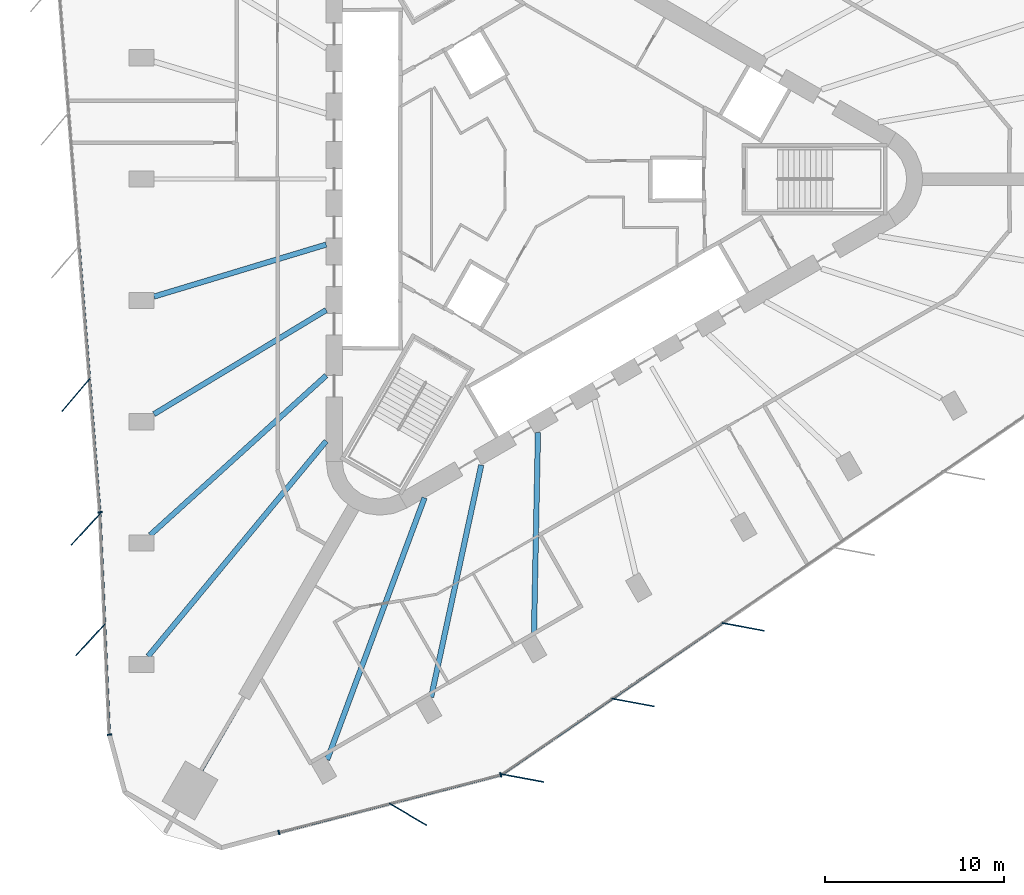
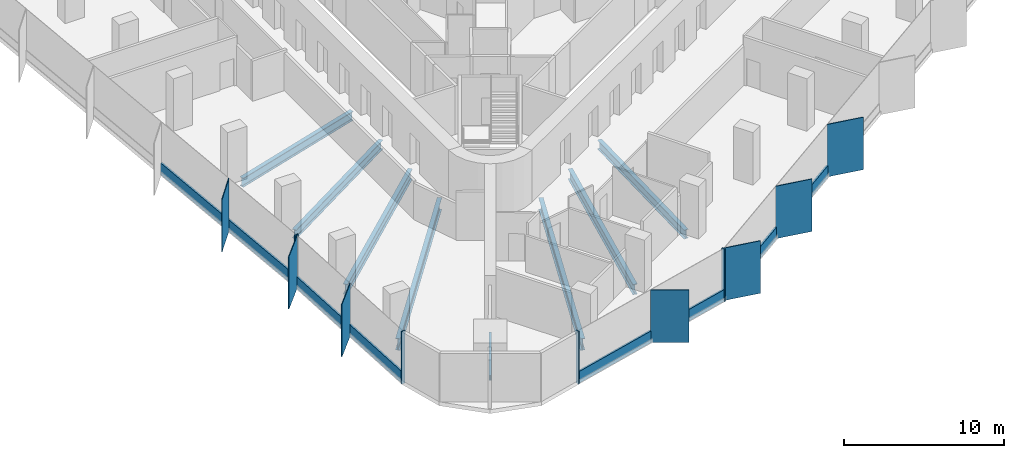
# One storey, part 2 of 13: 19 members, 8 beams, 4 elements without a shape of their own.
"""IFC4 building model written with IfcOpenShell, lengths in metres."""

import ifcopenshell
import ifcopenshell.guid

model = None  # the IFC model being written
_history = None  # IfcOwnerHistory: only IFC2X3 demands one
_inside = {}  # id of a spatial element -> (the spatial element, [elements in it])
_under = {}  # id of a project, library or spatial element -> (it, [spatial elements below it])
_declared = {}  # id of a project -> (the project, [libraries it declares])
_typed = {}  # id of a type object -> (the type object, [elements of that type])
_made_of = {}  # id of a material, layer set ... -> (it, [elements and type objects made of it])


def new_model(schema):
    """Start an empty IFC model of exactly this schema.

    Asked for "IFC4X3", IfcOpenShell would pick the latest addendum, in which some entities
    have other attributes; the version numbers below select the first issue.
    IFC2X3 requires an IfcOwnerHistory on every rooted entity: one is made here for all.
    """
    global model, _history
    if schema == "IFC4X3":
        model = ifcopenshell.file(schema_version=(4, 3, 0, 0))
    else:
        model = ifcopenshell.file(schema=schema)
    _inside.clear()
    _under.clear()
    _declared.clear()
    _typed.clear()
    _made_of.clear()
    _history = None
    if model.schema == "IFC2X3":
        org = make("IfcOrganization", Name="unknown")
        user = make(
            "IfcPersonAndOrganization",
            ThePerson=make("IfcPerson", FamilyName="unknown"),
            TheOrganization=org,
        )
        app = make(
            "IfcApplication",
            ApplicationDeveloper=org,
            Version="unknown",
            ApplicationFullName="unknown",
            ApplicationIdentifier="unknown",
        )
        _history = make(
            "IfcOwnerHistory",
            OwningUser=user,
            OwningApplication=app,
            ChangeAction="ADDED",
            CreationDate=0,
        )
    return model


def make(cls, **values):
    """One entity of the class cls with the attributes given. An attribute that is None is left unset."""
    return model.create_entity(
        cls, **{name: value for name, value in values.items() if value is not None}
    )


def rooted(cls, **values):
    """An entity with a GlobalId (a new one), such as an element, a storey or a relation."""
    return make(cls, GlobalId=ifcopenshell.guid.new(), OwnerHistory=_history, **values)


def si_unit(unit_type, name, prefix=None):
    """IfcSIUnit, for example si_unit("LENGTHUNIT", "METRE", prefix="MILLI")."""
    return make("IfcSIUnit", UnitType=unit_type, Prefix=prefix, Name=name)


def assignment(units):
    """IfcUnitAssignment: the units of a project."""
    return None if units is None else make("IfcUnitAssignment", Units=units)


def point(xyz):
    """IfcCartesianPoint."""
    return None if xyz is None else make("IfcCartesianPoint", Coordinates=xyz)


def direction(xyz):
    """IfcDirection."""
    return None if xyz is None else make("IfcDirection", DirectionRatios=xyz)


def frame(location, z_axis=None, x_axis=None):
    """IfcAxis2Placement3D, a coordinate frame: its origin and axes. An axis left out is left unset."""
    return make(
        "IfcAxis2Placement3D",
        Location=point(location),
        Axis=direction(z_axis),
        RefDirection=direction(x_axis),
    )


def frame_2d(location, x_axis=None):
    """IfcAxis2Placement2D, a coordinate frame in the plane: its origin and x axis."""
    return make(
        "IfcAxis2Placement2D", Location=point(location), RefDirection=direction(x_axis)
    )


def origin():
    """The frame at (0, 0, 0) with its axes left unset."""
    return frame((0.0, 0.0, 0.0))


def origin_2d():
    """The frame at (0, 0) in the plane with its x axis left unset."""
    return frame_2d((0.0, 0.0))


def place(relative_to, where):
    """IfcLocalPlacement: puts the frame where relative to a parent placement (None: the world)."""
    return make(
        "IfcLocalPlacement", PlacementRelTo=relative_to, RelativePlacement=where
    )


def context(
    kind, dimensions, precision=None, world=None, true_north=None, identifier=None
):
    """IfcGeometricRepresentationContext, for example the 3D "Model" context."""
    return make(
        "IfcGeometricRepresentationContext",
        ContextIdentifier=identifier,
        ContextType=kind,
        CoordinateSpaceDimension=dimensions,
        Precision=precision,
        WorldCoordinateSystem=world,
        TrueNorth=true_north,
    )


def subcontext(parent, identifier, kind, view, scale=None):
    """IfcGeometricRepresentationSubContext, for example "Body" below "Model"."""
    return make(
        "IfcGeometricRepresentationSubContext",
        ContextIdentifier=identifier,
        ContextType=kind,
        ParentContext=parent,
        TargetScale=scale,
        TargetView=view,
    )


def project(units=None, contexts=None):
    """IfcProject with its units and contexts."""
    return rooted(
        "IfcProject",
        Name="project",
        RepresentationContexts=contexts,
        UnitsInContext=assignment(units),
    )


def spatial(cls, under=None, at=None, **own):
    """A site, building, storey or space (cls), placed at a placement, below another one or the project."""
    s = rooted(cls, ObjectPlacement=at, **own)
    if under is not None:
        _under.setdefault(under.id(), (under, []))[1].append(s)
    return s


def profile(cls, at=None, kind="AREA", **sizes):
    """A parametric profile (cls). Its sizes go by their IFC names, for example OverallWidth=200.0."""
    return make(cls, ProfileType=kind, Position=at, **sizes)


def rectangle(**sizes):
    """IfcRectangleProfileDef."""
    return profile("IfcRectangleProfileDef", **sizes)


def i_section(**sizes):
    """IfcIShapeProfileDef."""
    return profile("IfcIShapeProfileDef", **sizes)


def extrude(swept, where, along, depth):
    """IfcExtrudedAreaSolid: the profile swept, set in the frame where, extruded along a direction by depth."""
    return make(
        "IfcExtrudedAreaSolid",
        SweptArea=swept,
        Position=where,
        ExtrudedDirection=direction(along),
        Depth=depth,
    )


def shape(context_of_items, identifier, shape_type, items):
    """IfcShapeRepresentation: the items that make up one representation, for example the "Body"."""
    return make(
        "IfcShapeRepresentation",
        ContextOfItems=context_of_items,
        RepresentationIdentifier=identifier,
        RepresentationType=shape_type,
        Items=items,
    )


def material(Name=None, Category=None):
    """IfcMaterial."""
    return make("IfcMaterial", Name=Name, Category=Category)


def material_profile(
    of_material, cross_section, Name=None, Category=None, Priority=None
):
    """IfcMaterialProfile: a cross section and its material."""
    return make(
        "IfcMaterialProfile",
        Name=Name,
        Material=of_material,
        Profile=cross_section,
        Priority=Priority,
        Category=Category,
    )


def profile_set(profiles, Name=None, composite=None):
    """IfcMaterialProfileSet."""
    return make(
        "IfcMaterialProfileSet",
        Name=Name,
        MaterialProfiles=profiles,
        CompositeProfile=composite,
    )


def made_of(thing, what):
    """Note that an element or type object is made of a material, layer set ...; save() writes the relation."""
    if what is not None:
        _made_of.setdefault(what.id(), (what, []))[1].append(thing)
    return thing


def type_object(cls, material=None, **own):
    """A type object (cls), such as IfcWallType, which elements share."""
    return made_of(rooted(cls, **own), material)


def element(
    cls,
    number,
    at=None,
    inside=None,
    cuts=None,
    type_object=None,
    material=None,
    context=None,
    identifier="Body",
    shape_type=None,
    held_by="IfcProductDefinitionShape",
    body=None,
    shapes=None,
    **own,
):
    """One element of the class cls, such as IfcWall. Its Tag is "e" and its number.

    at: its placement. inside: the storey or other place that contains it. cuts: it is an
    opening in that element (IfcRelVoidsElement). A single representation is given by context,
    identifier, shape_type and body (its items); several are given by shapes. held_by: the class
    of the entity that holds the representations. save() writes the other relations.
    """
    e = rooted(cls, Tag="e%d" % number, ObjectPlacement=at, **own)
    if body is not None:
        shapes = [shape(context, identifier, shape_type, body)]
    if shapes is not None:
        e.Representation = make(held_by, Representations=shapes)
    if inside is not None:
        _inside.setdefault(inside.id(), (inside, []))[1].append(e)
    if cuts is not None:
        rooted(
            "IfcRelVoidsElement", RelatingBuildingElement=cuts, RelatedOpeningElement=e
        )
    if type_object is not None:
        _typed.setdefault(type_object.id(), (type_object, []))[1].append(e)
    return made_of(e, material)


def aggregate(whole, parts):
    """IfcRelAggregates: a whole, such as a stair, and the parts it consists of."""
    return rooted("IfcRelAggregates", RelatingObject=whole, RelatedObjects=parts)


def save(model, path):
    """Write the relations noted so far, then the file.

    IfcRelAggregates (storeys below a building ...), IfcRelContainedInSpatialStructure (elements
    in a storey), IfcRelDefinesByType, IfcRelAssociatesMaterial and IfcRelDeclares: one each for
    every whole, place, type object, material and project.
    """
    for whole, parts in _under.values():
        aggregate(whole, parts)
    for where, things in _inside.values():
        rooted(
            "IfcRelContainedInSpatialStructure",
            RelatedElements=things,
            RelatingStructure=where,
        )
    for kind, things in _typed.values():
        rooted("IfcRelDefinesByType", RelatedObjects=things, RelatingType=kind)
    for what, things in _made_of.values():
        rooted("IfcRelAssociatesMaterial", RelatedObjects=things, RelatingMaterial=what)
    for by, libraries in _declared.values():
        rooted("IfcRelDeclares", RelatingContext=by, RelatedDefinitions=libraries)
    model.write(path)


model = new_model("IFC4")

# Units and contexts
model_context = context("Model", 3, precision=1e-05, world=origin(), true_north=direction((0.0, 1.0)))
body_context = subcontext(model_context, "Body", "Model", "MODEL_VIEW")
ifc_project = project(units=[si_unit("LENGTHUNIT", "METRE"), si_unit("AREAUNIT", "SQUARE_METRE"), si_unit("VOLUMEUNIT", "CUBIC_METRE"), si_unit("PLANEANGLEUNIT", "RADIAN"), si_unit("MASSUNIT", "GRAM", prefix="KILO")], contexts=[model_context])

# Site, building, storey
site_placement = place(None, origin())
site = spatial("IfcSite", under=ifc_project, at=site_placement, CompositionType="ELEMENT")
building_placement = place(site_placement, origin())
building = spatial("IfcBuilding", under=site, at=building_placement, Name="Tanit Gate Tower", CompositionType="ELEMENT")
storey_placement = place(building_placement, frame((0.0, 0.0, 185.199951171875)))
storey = spatial("IfcBuildingStorey", under=building, at=storey_placement, Name="L40", CompositionType="ELEMENT", Elevation=185.199951171875)

# Curtain wall, member
ifc_material_1 = material(Name="Aluminium bronze anodised and glass", Category="aluminium")
curtain_wall_type = type_object("IfcCurtainWallType", Name="Curtain wall typical mid", PredefinedType="NOTDEFINED", material=ifc_material_1)
curtain_wall_1_placement = place(storey_placement, origin())
curtain_wall_1 = element("IfcCurtainWall", 1, at=curtain_wall_1_placement, inside=storey, type_object=curtain_wall_type, Name="Curtain wall L40 W2", PredefinedType="NOTDEFINED")
ifc_material_2 = material(Name="Aluminium bronze anodised", Category="aluminium")
ifc_material_profile_1 = material_profile(ifc_material_2, rectangle(XDim=2.39990234375, YDim=0.055908203125, at=origin_2d()), Name="56x2400 bronze fin mullion")
ifc_profile_set_1 = profile_set([ifc_material_profile_1], Name="Aluminium bronze anodised")
member_type_1 = type_object("IfcMemberType", Name="FIN MULLION 56x2400 bronze", PredefinedType="MULLION", material=ifc_profile_set_1)
member_1_placement = place(storey_placement, frame((-26.070068359375, -12.05322265625, -0.300048828125), z_axis=(0.0, 0.0, 1.0), x_axis=(0.650025975428, 0.75991198916, 0.0)))
member_1 = element("IfcMember", 2, at=member_1_placement, type_object=member_type_1, Name="Fin mullion L40 W2.5", PredefinedType="MULLION", context=body_context, shape_type="SweptSolid", body=[
    extrude(rectangle(XDim=2.39990234375, YDim=0.055908203125, at=origin_2d()), origin(), (0.0, 0.0, 1.0), 4.0),
])

# Curtain wall, members
curtain_wall_2_placement = place(storey_placement, origin())
curtain_wall_2 = element("IfcCurtainWall", 3, at=curtain_wall_2_placement, inside=storey, type_object=curtain_wall_type, Name="Curtain wall L40 W3", PredefinedType="NOTDEFINED")
member_2_placement = place(storey_placement, frame((-25.516845703125, -19.542236328125, -0.300048828125), z_axis=(0.0, 0.0, 1.0), x_axis=(0.67655835187, 0.736389025254, 0.0)))
member_2 = element("IfcMember", 4, at=member_2_placement, type_object=member_type_1, Name="Fin mullion L40 W3.1", PredefinedType="MULLION", context=body_context, shape_type="SweptSolid", body=[
    extrude(rectangle(XDim=2.39990234375, YDim=0.055908203125, at=origin_2d()), origin(), (0.0, 0.0, 1.0), 4.0),
])
member_3_placement = place(storey_placement, frame((-25.255859375, -25.71044921875, -0.300048828125), z_axis=(0.0, 0.0, 1.0), x_axis=(0.67655835187, 0.736389025254, 0.0)))
member_3 = element("IfcMember", 5, at=member_3_placement, type_object=member_type_1, Name="Fin mullion L40 W3.2", PredefinedType="MULLION", context=body_context, shape_type="SweptSolid", body=[
    extrude(rectangle(XDim=2.39990234375, YDim=0.055908203125, at=origin_2d()), origin(), (0.0, 0.0, 1.0), 4.0),
])

# Curtain wall, member
curtain_wall_3_placement = place(storey_placement, origin())
curtain_wall_3 = element("IfcCurtainWall", 6, at=curtain_wall_3_placement, inside=storey, type_object=curtain_wall_type, Name="Curtain wall L40 SE1", PredefinedType="NOTDEFINED")
member_4_placement = place(storey_placement, frame((-7.5341796875, -35.45458984375, -0.300048828125), z_axis=(0.0, 0.0, 1.0), x_axis=(-0.862180059839, 0.506601958559, 0.0)))
member_4 = element("IfcMember", 7, at=member_4_placement, type_object=member_type_1, Name="Fin mullion L40 SE1.2", PredefinedType="MULLION", context=body_context, shape_type="SweptSolid", body=[
    extrude(rectangle(XDim=2.39990234375, YDim=0.055908203125, at=origin_2d()), origin(), (0.0, 0.0, 1.0), 4.0),
])

# Curtain wall, members
curtain_wall_4_placement = place(storey_placement, origin())
curtain_wall_4 = element("IfcCurtainWall", 8, at=curtain_wall_4_placement, inside=storey, type_object=curtain_wall_type, Name="Curtain wall L40 SE2", PredefinedType="NOTDEFINED")
member_5_placement = place(storey_placement, frame((-1.12939453125, -33.43212890625, -0.300048828125), z_axis=(0.0, 0.0, 1.0), x_axis=(-0.983116074967, 0.182983013261, 0.0)))
member_5 = element("IfcMember", 9, at=member_5_placement, type_object=member_type_1, Name="Fin mullion L40 SE2.1", PredefinedType="MULLION", context=body_context, shape_type="SweptSolid", body=[
    extrude(rectangle(XDim=2.39990234375, YDim=0.055908203125, at=origin_2d()), origin(), (0.0, 0.0, 1.0), 4.0),
])
member_6_placement = place(storey_placement, frame((5.021484375, -29.2119140625, -0.300048828125), z_axis=(0.0, 0.0, 1.0), x_axis=(-0.983116074967, 0.182983013261, 0.0)))
member_6 = element("IfcMember", 10, at=member_6_placement, type_object=member_type_1, Name="Fin mullion L40 SE2.2", PredefinedType="MULLION", context=body_context, shape_type="SweptSolid", body=[
    extrude(rectangle(XDim=2.39990234375, YDim=0.055908203125, at=origin_2d()), origin(), (0.0, 0.0, 1.0), 4.0),
])
member_7_placement = place(storey_placement, frame((11.172119140625, -24.991455078125, -0.300048828125), z_axis=(0.0, 0.0, 1.0), x_axis=(-0.983116074967, 0.182983013261, 0.0)))
member_7 = element("IfcMember", 11, at=member_7_placement, type_object=member_type_1, Name="Fin mullion L40 SE2.3", PredefinedType="MULLION", context=body_context, shape_type="SweptSolid", body=[
    extrude(rectangle(XDim=2.39990234375, YDim=0.055908203125, at=origin_2d()), origin(), (0.0, 0.0, 1.0), 4.0),
])

# Member
ifc_material_3 = material(Name="Aluminium bronze anodised", Category="aluminium")
ifc_material_profile_2 = material_profile(ifc_material_3, rectangle(XDim=0.260009765625, YDim=0.080078125, at=origin_2d()), Name="80x260 bronze mullion")
ifc_profile_set_2 = profile_set([ifc_material_profile_2], Name="Aluminium bronze anodised")
member_type_2 = type_object("IfcMemberType", Name="Mullion 80x260 typical mid", PredefinedType="MULLION", material=ifc_profile_set_2)
member_8_placement = place(storey_placement, frame((-24.72412109375, -18.59423828125, -0.300048828125), z_axis=(0.0, 0.0, 1.0), x_axis=(0.996976695812, 0.077701145467, 0.0)))
member_8 = element("IfcMember", 12, at=member_8_placement, type_object=member_type_2, Name="Mullion L40 W2.6", PredefinedType="MULLION", context=body_context, shape_type="SweptSolid", body=[
    extrude(rectangle(XDim=0.260009765625, YDim=0.080078125, at=origin_2d()), origin(), (0.0, 0.0, 1.0), 4.0),
])

member_9_placement = place(storey_placement, frame((-24.197021484375, -31.0107421875, -0.300048828125), z_axis=(0.0, 0.0, 1.0), x_axis=(0.999104671824, 0.042306674873, 0.0)))
member_9 = element("IfcMember", 13, at=member_9_placement, type_object=member_type_2, Name="Mullion L40 W3.3", PredefinedType="MULLION", context=body_context, shape_type="SweptSolid", body=[
    extrude(rectangle(XDim=0.260009765625, YDim=0.080078125, at=origin_2d()), origin(), (0.0, 0.0, 1.0), 4.0),
])

member_10_placement = place(storey_placement, frame((-14.7412109375, -36.465576171875, -0.300048828125), z_axis=(0.0, 0.0, 1.0), x_axis=(-0.251431686657, 0.967875047175, 0.0)))
member_10 = element("IfcMember", 14, at=member_10_placement, type_object=member_type_2, Name="Mullion L40 SE1.1", PredefinedType="MULLION", context=body_context, shape_type="SweptSolid", body=[
    extrude(rectangle(XDim=0.260009765625, YDim=0.080078125, at=origin_2d()), origin(), (0.0, 0.0, 1.0), 4.0),
])

member_11_placement = place(storey_placement, frame((-2.35986328125, -33.249267578125, -0.300048828125), z_axis=(0.0, 0.0, 1.0), x_axis=(-0.251431686657, 0.967875047175, 0.0)))
member_11 = element("IfcMember", 15, at=member_11_placement, type_object=member_type_2, Name="Mullion L40 SE1.3", PredefinedType="MULLION", context=body_context, shape_type="SweptSolid", body=[
    extrude(rectangle(XDim=0.260009765625, YDim=0.080078125, at=origin_2d()), origin(), (0.0, 0.0, 1.0), 4.0),
])

# Beams
ifc_material_4 = material(Name="Steel S355", Category="steel")
ifc_material_profile_3 = material_profile(ifc_material_4, i_section(OverallWidth=0.300048828125, OverallDepth=0.68994140625, WebThickness=0.014404296875, FlangeThickness=0.027099609375, FilletRadius=0.027099609375, at=origin_2d()), Name="HEA 700")
ifc_profile_set_3 = profile_set([ifc_material_profile_3], Name="Steel S355")
beam_type_1 = type_object("IfcBeamType", Name="RADIAL GIRDER HEA 700 S355", PredefinedType="BEAM", material=ifc_profile_set_3)
beam_1_placement = place(storey_placement, frame((-21.714599609375, -6.5595703125, -0.64501953125), z_axis=(0.95727515036, 0.28917864116, 0.0), x_axis=(-0.28917864116, 0.95727515036, 0.0)))
element("IfcBeam", 16, at=beam_1_placement, inside=storey, type_object=beam_type_1, Name="RADIAL GIRDER", PredefinedType="BEAM", context=body_context, shape_type="SweptSolid", body=[
    extrude(i_section(OverallWidth=0.300048828125, OverallDepth=0.68994140625, WebThickness=0.014404296875, FlangeThickness=0.027099609375, FilletRadius=0.027099609375, at=origin_2d()), origin(), (0.0, 0.0, 1.0), 10.04150390625),
])
for number, where, z_axis, x_axis, name in (
    (17, (-21.714599609375, -13.119140625, -0.64501953125), (0.855914138783, 0.517117962395, 0.0), (-0.517117962395, 0.855914138783, 0.0), "RADIAL GIRDER"),
    (18, (-0.504150390625, -25.364990234375, -0.64501953125), (0.019869098262, 0.999802589982, 0.0), (-0.999802589982, 0.019869098262, 0.0), "RADIAL GIRDER"),
):
    element("IfcBeam", number, at=place(storey_placement, frame(where, z_axis=z_axis, x_axis=x_axis)), inside=storey, type_object=beam_type_1, Name=name, PredefinedType="BEAM", context=body_context, shape_type="SweptSolid", body=[
        extrude(i_section(OverallWidth=0.300048828125, OverallDepth=0.68994140625, WebThickness=0.014404296875, FlangeThickness=0.027099609375, FilletRadius=0.027099609375, at=origin_2d()), origin(), (0.0, 0.0, 1.0), 11.230712890625),
    ])
ifc_material_5 = material(Name="Steel S355", Category="steel")
ifc_material_profile_4 = material_profile(ifc_material_5, i_section(OverallWidth=0.300048828125, OverallDepth=0.7900390625, WebThickness=0.014892578125, FlangeThickness=0.028076171875, FilletRadius=0.030029296875, at=origin_2d()), Name="HEA 800")
ifc_profile_set_4 = profile_set([ifc_material_profile_4], Name="Steel S355")
beam_type_2 = type_object("IfcBeamType", Name="RADIAL GIRDER HEA 800 S355", PredefinedType="BEAM", material=ifc_profile_set_4)
beam_2_placement = place(storey_placement, frame((-21.918212890625, -19.86279296875, -0.695068359375), z_axis=(0.741001566529, 0.671503297387, 0.0), x_axis=(-0.671503297387, 0.741001566529, 0.0)))
element("IfcBeam", 19, at=beam_2_placement, inside=storey, type_object=beam_type_2, Name="RADIAL GIRDER", PredefinedType="BEAM", context=body_context, shape_type="SweptSolid", body=[
    extrude(i_section(OverallWidth=0.300048828125, OverallDepth=0.7900390625, WebThickness=0.014892578125, FlangeThickness=0.028076171875, FilletRadius=0.030029296875, at=origin_2d()), origin(), (0.0, 0.0, 1.0), 13.2470703125),
])
beam_3_placement = place(storey_placement, frame((-6.242919921875, -28.9130859375, -0.695068359375), z_axis=(0.211052986888, 0.977474622037, 0.0), x_axis=(-0.977474622037, 0.211052986888, 0.0)))
element("IfcBeam", 20, at=beam_3_placement, inside=storey, type_object=beam_type_2, Name="RADIAL GIRDER", PredefinedType="BEAM", context=body_context, shape_type="SweptSolid", body=[
    extrude(i_section(OverallWidth=0.300048828125, OverallDepth=0.7900390625, WebThickness=0.014892578125, FlangeThickness=0.028076171875, FilletRadius=0.030029296875, at=origin_2d()), origin(), (0.0, 0.0, 1.0), 13.247314453125),
])
ifc_material_6 = material(Name="Steel S355", Category="steel")
ifc_material_profile_5 = material_profile(ifc_material_6, i_section(OverallWidth=0.300048828125, OverallDepth=0.889892578125, WebThickness=0.01611328125, FlangeThickness=0.030029296875, FilletRadius=0.030029296875, at=origin_2d()), Name="HEA 900")
ifc_profile_set_5 = profile_set([ifc_material_profile_5], Name="Steel S355")
beam_type_3 = type_object("IfcBeamType", Name="RADIAL GIRDER HEA 900 S355", PredefinedType="BEAM", material=ifc_profile_set_5)
beam_4_placement = place(storey_placement, frame((-22.042236328125, -26.6337890625, -0.744873046875), z_axis=(0.637577648995, 0.77038609898, 0.0), x_axis=(-0.77038609898, 0.637577648995, 0.0)))
element("IfcBeam", 21, at=beam_4_placement, inside=storey, type_object=beam_type_3, Name="RADIAL GIRDER", PredefinedType="BEAM", context=body_context, shape_type="SweptSolid", body=[
    extrude(i_section(OverallWidth=0.300048828125, OverallDepth=0.889892578125, WebThickness=0.01611328125, FlangeThickness=0.030029296875, FilletRadius=0.030029296875, at=origin_2d()), origin(), (0.0, 0.0, 1.0), 15.590576171875),
])
beam_5_placement = place(storey_placement, frame((-12.04443359375, -32.40625, -0.744873046875), z_axis=(0.348383102876, 0.937352235625, 0.0), x_axis=(-0.937352235625, 0.348383102876, 0.0)))
element("IfcBeam", 22, at=beam_5_placement, inside=storey, type_object=beam_type_3, Name="RADIAL GIRDER", PredefinedType="BEAM", context=body_context, shape_type="SweptSolid", body=[
    extrude(i_section(OverallWidth=0.300048828125, OverallDepth=0.889892578125, WebThickness=0.01611328125, FlangeThickness=0.030029296875, FilletRadius=0.030029296875, at=origin_2d()), origin(), (0.0, 0.0, 1.0), 15.591064453125),
])
ifc_material_7 = material(Name="Steel S355", Category="steel")
ifc_material_profile_6 = material_profile(ifc_material_7, i_section(OverallWidth=0.179931640625, OverallDepth=0.39990234375, WebThickness=0.008544921875, FlangeThickness=0.013427734375, FilletRadius=0.02099609375, at=origin_2d()), Name="IPE 400")
ifc_profile_set_6 = profile_set([ifc_material_profile_6], Name="Steel S355")
beam_type_4 = type_object("IfcBeamType", Name="RADIAL GIRDER IPE 400 S355", PredefinedType="BEAM", material=ifc_profile_set_6)
beam_6_placement = place(storey_placement, frame((-19.05126953125, -32.997802734375, -0.5), z_axis=(0.49999482868, 0.866028389427, 0.0), x_axis=(-0.866028389427, 0.49999482868, 0.0)))
element("IfcBeam", 23, at=beam_6_placement, inside=storey, type_object=beam_type_4, Name="RADIAL GIRDER", PredefinedType="BEAM", context=body_context, shape_type="SweptSolid", body=[
    extrude(i_section(OverallWidth=0.179931640625, OverallDepth=0.39990234375, WebThickness=0.008544921875, FlangeThickness=0.013427734375, FilletRadius=0.02099609375, at=origin_2d()), origin(), (0.0, 0.0, 1.0), 4.73291015625),
])

# Member
ifc_material_8 = material(Name="Aluminium bronze anodised", Category="aluminium")
ifc_material_profile_7 = material_profile(ifc_material_8, rectangle(XDim=0.139892578125, YDim=0.89990234375, at=origin_2d()), Name="140x900 bronze transom")
ifc_profile_set_7 = profile_set([ifc_material_profile_7], Name="Aluminium bronze anodised")
member_type_3 = type_object("IfcMemberType", Name="Transom 140x900 typical mid", PredefinedType="USERDEFINED", material=ifc_profile_set_7)
member_12_placement = place(storey_placement, frame((-25.88037109375, -3.760498046875, 0.150146484375), z_axis=(0.077713489247, -0.996975733701, 0.0), x_axis=(0.996975733701, 0.077713489247, 0.0)))
member_12 = element("IfcMember", 24, at=member_12_placement, type_object=member_type_3, Name="Transom L40 W2.4", ObjectType="TRANSOM", PredefinedType="USERDEFINED", context=body_context, shape_type="SweptSolid", body=[
    extrude(rectangle(XDim=0.139892578125, YDim=0.89990234375, at=origin_2d()), origin(), (0.0, 0.0, 1.0), 7.37939453125),
])

member_13_placement = place(storey_placement, frame((-25.30078125, -11.197509765625, 0.150146484375), z_axis=(0.077716052602, -0.996975533886, 0.0), x_axis=(0.996975533886, 0.077716052602, 0.0)))
member_13 = element("IfcMember", 25, at=member_13_placement, type_object=member_type_3, Name="Transom L40 W2.5", ObjectType="TRANSOM", PredefinedType="USERDEFINED", context=body_context, shape_type="SweptSolid", body=[
    extrude(rectangle(XDim=0.139892578125, YDim=0.89990234375, at=origin_2d()), origin(), (0.0, 0.0, 1.0), 7.379150390625),
])

aggregate(curtain_wall_1, [member_1, member_8, member_12, member_13])

member_14_placement = place(storey_placement, frame((-24.7177734375, -18.714111328125, 0.150146484375), z_axis=(0.042307102187, -0.99910465373, 0.0), x_axis=(0.99910465373, 0.042307102187, 0.0)))
member_14 = element("IfcMember", 26, at=member_14_placement, type_object=member_type_3, Name="Transom L40 W3.1", ObjectType="TRANSOM", PredefinedType="USERDEFINED", context=body_context, shape_type="SweptSolid", body=[
    extrude(rectangle(XDim=0.139892578125, YDim=0.89990234375, at=origin_2d()), origin(), (0.0, 0.0, 1.0), 6.09375),
])

member_15_placement = place(storey_placement, frame((-24.45654296875, -24.88232421875, 0.150146484375), z_axis=(0.042307102187, -0.99910465373, 0.0), x_axis=(0.99910465373, 0.042307102187, 0.0)))
member_15 = element("IfcMember", 27, at=member_15_placement, type_object=member_type_3, Name="Transom L40 W3.2", ObjectType="TRANSOM", PredefinedType="USERDEFINED", context=body_context, shape_type="SweptSolid", body=[
    extrude(rectangle(XDim=0.139892578125, YDim=0.89990234375, at=origin_2d()), origin(), (0.0, 0.0, 1.0), 6.09375),
])

aggregate(curtain_wall_2, [member_2, member_3, member_9, member_14, member_15])

member_16_placement = place(storey_placement, frame((-14.702392578125, -36.45556640625, 0.150146484375), z_axis=(0.967873319689, 0.251438336445, 0.0), x_axis=(-0.251438336445, 0.967873319689, 0.0)))
member_16 = element("IfcMember", 28, at=member_16_placement, type_object=member_type_3, Name="Transom L40 SE1.1", ObjectType="TRANSOM", PredefinedType="USERDEFINED", context=body_context, shape_type="SweptSolid", body=[
    extrude(rectangle(XDim=0.139892578125, YDim=0.89990234375, at=origin_2d()), origin(), (0.0, 0.0, 1.0), 6.316162109375),
])

member_17_placement = place(storey_placement, frame((-8.51171875, -34.847412109375, 0.150146484375), z_axis=(0.967870875856, 0.251447743418, 0.0), x_axis=(-0.251447743418, 0.967870875856, 0.0)))
member_17 = element("IfcMember", 29, at=member_17_placement, type_object=member_type_3, Name="Transom L40 SE1.2", ObjectType="TRANSOM", PredefinedType="USERDEFINED", context=body_context, shape_type="SweptSolid", body=[
    extrude(rectangle(XDim=0.139892578125, YDim=0.89990234375, at=origin_2d()), origin(), (0.0, 0.0, 1.0), 6.31591796875),
])

aggregate(curtain_wall_3, [member_10, member_4, member_11, member_16, member_17])

member_18_placement = place(storey_placement, frame((-2.255126953125, -33.19384765625, 0.150146484375), z_axis=(0.824559958411, 0.565774579657, 0.0), x_axis=(-0.565774579657, 0.824559958411, 0.0)))
member_18 = element("IfcMember", 30, at=member_18_placement, type_object=member_type_3, Name="Transom L40 SE2.1", ObjectType="TRANSOM", PredefinedType="USERDEFINED", context=body_context, shape_type="SweptSolid", body=[
    extrude(rectangle(XDim=0.139892578125, YDim=0.89990234375, at=origin_2d()), origin(), (0.0, 0.0, 1.0), 7.37939453125),
])

member_19_placement = place(storey_placement, frame((3.8955078125, -28.973388671875, 0.150146484375), z_axis=(0.824559958411, 0.565774579657, 0.0), x_axis=(-0.565774579657, 0.824559958411, 0.0)))
member_19 = element("IfcMember", 31, at=member_19_placement, type_object=member_type_3, Name="Transom L40 SE2.2", ObjectType="TRANSOM", PredefinedType="USERDEFINED", context=body_context, shape_type="SweptSolid", body=[
    extrude(rectangle(XDim=0.139892578125, YDim=0.89990234375, at=origin_2d()), origin(), (0.0, 0.0, 1.0), 7.37939453125),
])

aggregate(curtain_wall_4, [member_5, member_6, member_7, member_18, member_19])

save(model, "model.ifc")
